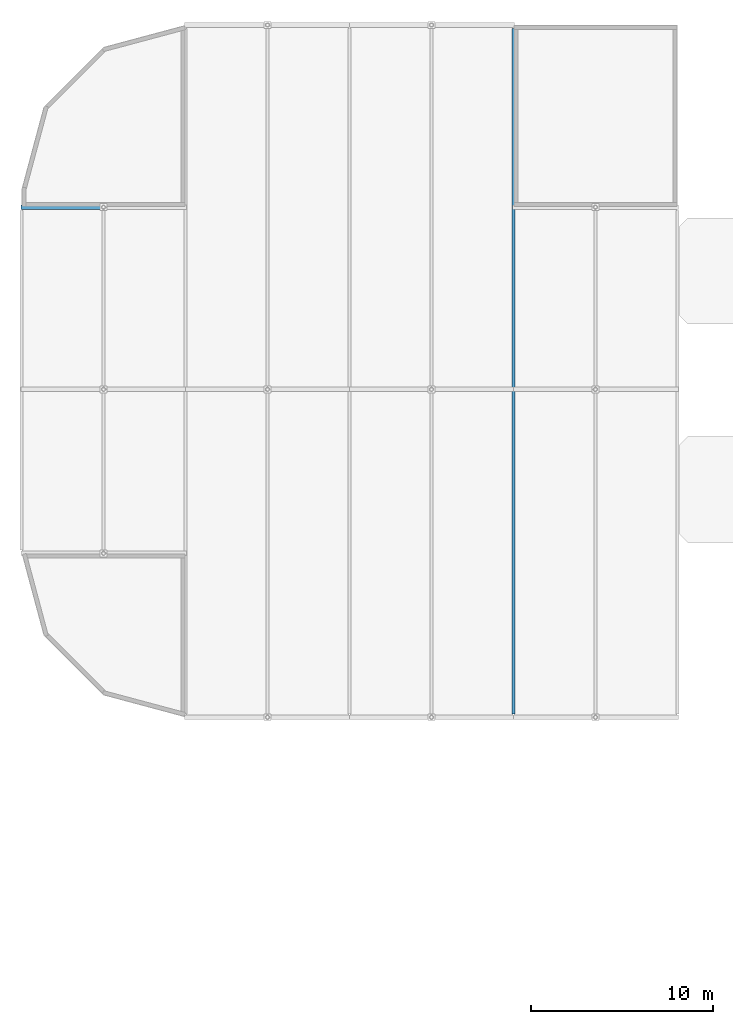
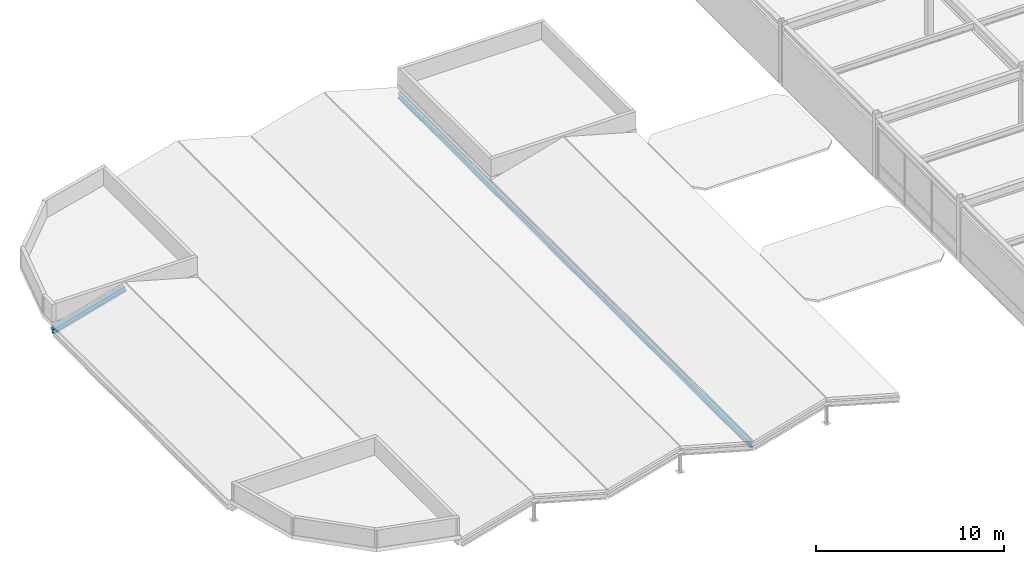
# One storey, part 17 of 40: 1 beam, 1 member.
"""IFC4 building model written with IfcOpenShell, lengths in metres."""

from ifc_helpers import new_model, si_unit, direction, frame, origin, origin_2d, place, context, subcontext, project, spatial, i_section, extrude, material, material_profile, profile_set, type_object, element, save


model = new_model("IFC4")

# Units and contexts
model_context = context("Model", 3, precision=1e-05, world=origin(), true_north=direction((0.0, 1.0)))
body_context = subcontext(model_context, "Body", "Model", "MODEL_VIEW")
ifc_project = project(units=[si_unit("LENGTHUNIT", "METRE"), si_unit("AREAUNIT", "SQUARE_METRE"), si_unit("VOLUMEUNIT", "CUBIC_METRE"), si_unit("PLANEANGLEUNIT", "RADIAN"), si_unit("MASSUNIT", "GRAM", prefix="KILO")], contexts=[model_context])

# Site, building, storey
site_placement = place(None, origin())
site = spatial("IfcSite", under=ifc_project, at=site_placement, CompositionType="ELEMENT")
building_placement = place(site_placement, origin())
building = spatial("IfcBuilding", under=site, at=building_placement, Name="Suzunagisa Mobility Hub", CompositionType="ELEMENT")
storey_placement = place(building_placement, frame((0.0, 0.0, 21.89990234375)))
storey = spatial("IfcBuildingStorey", under=building, at=storey_placement, Name="L05", CompositionType="ELEMENT", Elevation=21.89990234375)

# Member
ifc_material_1 = material(Name="Steel SN400B", Category="steel")
ifc_material_profile_1 = material_profile(ifc_material_1, i_section(OverallWidth=0.25, OverallDepth=0.340087890625, WebThickness=0.009033203125, FlangeThickness=0.013916015625, FilletRadius=0.010009765625, at=origin_2d()), Name="H-340x250x9x14")
ifc_profile_set_1 = profile_set([ifc_material_profile_1], Name="Steel SN400B")
member_type = type_object("IfcMemberType", Name="Roof Truss and Brace Member MB-11 H-340x250x9x14", PredefinedType="RAFTER", material=ifc_profile_set_1)
member_placement = place(storey_placement, frame((0.0, 108.0, -0.3798828125), z_axis=(0.962514716328, 0.0, 0.271229461622), x_axis=(0.0, 1.0, 0.0)))
element("IfcMember", 1, at=member_placement, inside=storey, type_object=member_type, Name="L05 Ramp Canopy Rafter 219", PredefinedType="RAFTER", context=body_context, shape_type="SweptSolid", body=[
    extrude(i_section(OverallWidth=0.25, OverallDepth=0.340087890625, WebThickness=0.009033203125, FlangeThickness=0.013916015625, FilletRadius=0.010009765625, at=origin_2d()), origin(), (0.0, 0.0, 1.0), 4.67529296875),
])

# Beam
ifc_material_2 = material(Name="Steel SN490B", Category="steel")
ifc_material_profile_2 = material_profile(ifc_material_2, i_section(OverallWidth=0.175048828125, OverallDepth=0.35009765625, WebThickness=0.007080078125, FlangeThickness=0.010986328125, FilletRadius=0.008056640625, at=origin_2d()), Name="H-350x175x7x11")
ifc_profile_set_2 = profile_set([ifc_material_profile_2], Name="Steel SN490B")
beam_type = type_object("IfcBeamType", Name="Steel Beam BM-19 H-350x175x7x11", PredefinedType="BEAM", material=ifc_profile_set_2)
beam_placement = place(storey_placement, frame((27.0, 80.179931640625, -0.3798828125), z_axis=(0.0, 1.0, 0.0), x_axis=(-1.0, 0.0, 0.0)))
element("IfcBeam", 2, at=beam_placement, inside=storey, type_object=beam_type, Name="L05 Ramp Drum Canopy Valley Rib 2257", PredefinedType="BEAM", context=body_context, shape_type="SweptSolid", body=[
    extrude(i_section(OverallWidth=0.175048828125, OverallDepth=0.35009765625, WebThickness=0.007080078125, FlangeThickness=0.010986328125, FilletRadius=0.008056640625, at=origin_2d()), origin(), (0.0, 0.0, 1.0), 37.64013671875),
])

save(model, "model.ifc")
